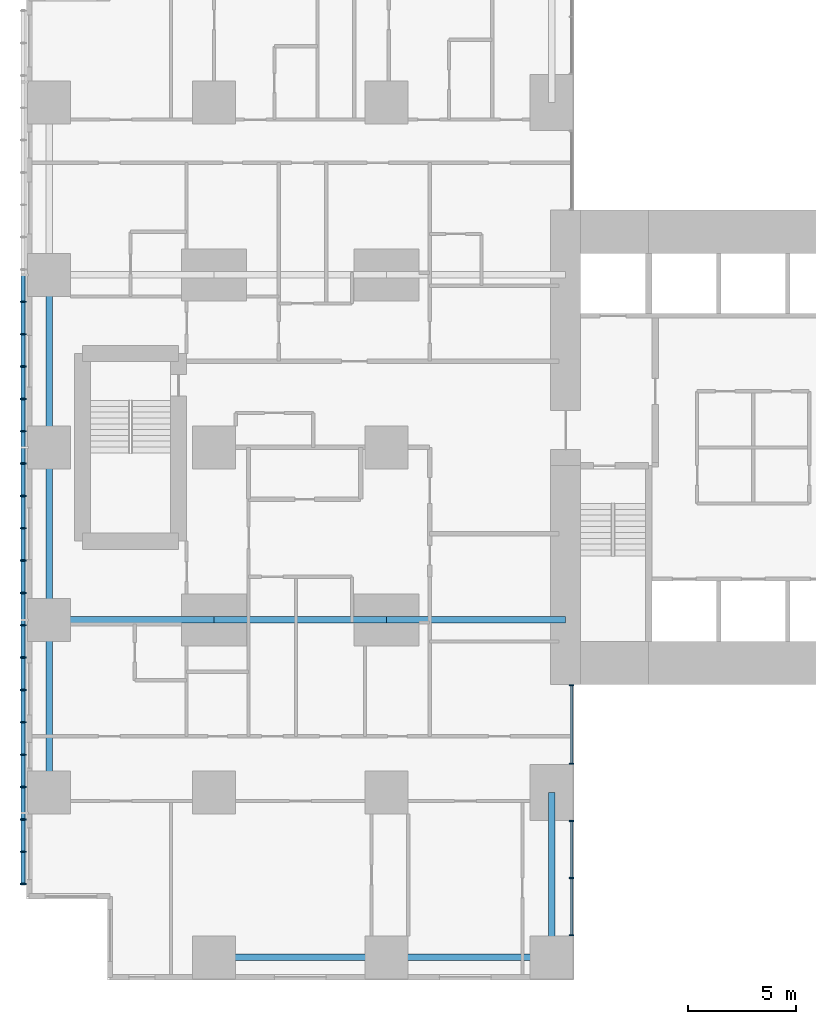
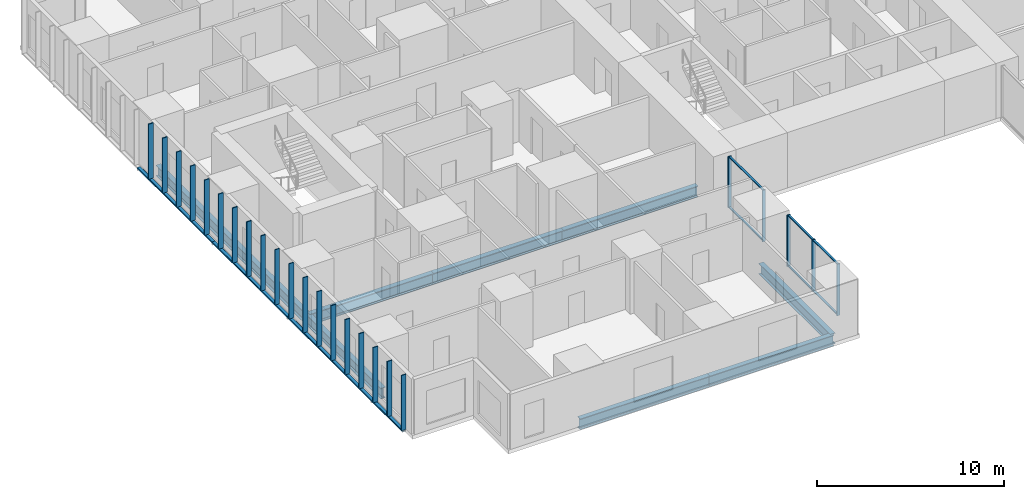
# One storey, part 2 of 20: 33 members, 9 beams, 2 elements without a shape of their own.
"""IFC4 building model written with IfcOpenShell, lengths in metres."""

import ifcopenshell
import ifcopenshell.guid

model = None  # the IFC model being written
_history = None  # IfcOwnerHistory: only IFC2X3 demands one
_inside = {}  # id of a spatial element -> (the spatial element, [elements in it])
_under = {}  # id of a project, library or spatial element -> (it, [spatial elements below it])
_declared = {}  # id of a project -> (the project, [libraries it declares])
_typed = {}  # id of a type object -> (the type object, [elements of that type])
_made_of = {}  # id of a material, layer set ... -> (it, [elements and type objects made of it])


def new_model(schema):
    """Start an empty IFC model of exactly this schema.

    Asked for "IFC4X3", IfcOpenShell would pick the latest addendum, in which some entities
    have other attributes; the version numbers below select the first issue.
    IFC2X3 requires an IfcOwnerHistory on every rooted entity: one is made here for all.
    """
    global model, _history
    if schema == "IFC4X3":
        model = ifcopenshell.file(schema_version=(4, 3, 0, 0))
    else:
        model = ifcopenshell.file(schema=schema)
    _inside.clear()
    _under.clear()
    _declared.clear()
    _typed.clear()
    _made_of.clear()
    _history = None
    if model.schema == "IFC2X3":
        org = make("IfcOrganization", Name="unknown")
        user = make(
            "IfcPersonAndOrganization",
            ThePerson=make("IfcPerson", FamilyName="unknown"),
            TheOrganization=org,
        )
        app = make(
            "IfcApplication",
            ApplicationDeveloper=org,
            Version="unknown",
            ApplicationFullName="unknown",
            ApplicationIdentifier="unknown",
        )
        _history = make(
            "IfcOwnerHistory",
            OwningUser=user,
            OwningApplication=app,
            ChangeAction="ADDED",
            CreationDate=0,
        )
    return model


def make(cls, **values):
    """One entity of the class cls with the attributes given. An attribute that is None is left unset."""
    return model.create_entity(
        cls, **{name: value for name, value in values.items() if value is not None}
    )


def rooted(cls, **values):
    """An entity with a GlobalId (a new one), such as an element, a storey or a relation."""
    return make(cls, GlobalId=ifcopenshell.guid.new(), OwnerHistory=_history, **values)


def si_unit(unit_type, name, prefix=None):
    """IfcSIUnit, for example si_unit("LENGTHUNIT", "METRE", prefix="MILLI")."""
    return make("IfcSIUnit", UnitType=unit_type, Prefix=prefix, Name=name)


def assignment(units):
    """IfcUnitAssignment: the units of a project."""
    return None if units is None else make("IfcUnitAssignment", Units=units)


def point(xyz):
    """IfcCartesianPoint."""
    return None if xyz is None else make("IfcCartesianPoint", Coordinates=xyz)


def direction(xyz):
    """IfcDirection."""
    return None if xyz is None else make("IfcDirection", DirectionRatios=xyz)


def frame(location, z_axis=None, x_axis=None):
    """IfcAxis2Placement3D, a coordinate frame: its origin and axes. An axis left out is left unset."""
    return make(
        "IfcAxis2Placement3D",
        Location=point(location),
        Axis=direction(z_axis),
        RefDirection=direction(x_axis),
    )


def frame_2d(location, x_axis=None):
    """IfcAxis2Placement2D, a coordinate frame in the plane: its origin and x axis."""
    return make(
        "IfcAxis2Placement2D", Location=point(location), RefDirection=direction(x_axis)
    )


def origin():
    """The frame at (0, 0, 0) with its axes left unset."""
    return frame((0.0, 0.0, 0.0))


def origin_2d():
    """The frame at (0, 0) in the plane with its x axis left unset."""
    return frame_2d((0.0, 0.0))


def place(relative_to, where):
    """IfcLocalPlacement: puts the frame where relative to a parent placement (None: the world)."""
    return make(
        "IfcLocalPlacement", PlacementRelTo=relative_to, RelativePlacement=where
    )


def context(
    kind, dimensions, precision=None, world=None, true_north=None, identifier=None
):
    """IfcGeometricRepresentationContext, for example the 3D "Model" context."""
    return make(
        "IfcGeometricRepresentationContext",
        ContextIdentifier=identifier,
        ContextType=kind,
        CoordinateSpaceDimension=dimensions,
        Precision=precision,
        WorldCoordinateSystem=world,
        TrueNorth=true_north,
    )


def subcontext(parent, identifier, kind, view, scale=None):
    """IfcGeometricRepresentationSubContext, for example "Body" below "Model"."""
    return make(
        "IfcGeometricRepresentationSubContext",
        ContextIdentifier=identifier,
        ContextType=kind,
        ParentContext=parent,
        TargetScale=scale,
        TargetView=view,
    )


def project(units=None, contexts=None):
    """IfcProject with its units and contexts."""
    return rooted(
        "IfcProject",
        Name="project",
        RepresentationContexts=contexts,
        UnitsInContext=assignment(units),
    )


def spatial(cls, under=None, at=None, **own):
    """A site, building, storey or space (cls), placed at a placement, below another one or the project."""
    s = rooted(cls, ObjectPlacement=at, **own)
    if under is not None:
        _under.setdefault(under.id(), (under, []))[1].append(s)
    return s


def profile(cls, at=None, kind="AREA", **sizes):
    """A parametric profile (cls). Its sizes go by their IFC names, for example OverallWidth=200.0."""
    return make(cls, ProfileType=kind, Position=at, **sizes)


def rectangle(**sizes):
    """IfcRectangleProfileDef."""
    return profile("IfcRectangleProfileDef", **sizes)


def hollow_rectangle(**sizes):
    """IfcRectangleHollowProfileDef."""
    return profile("IfcRectangleHollowProfileDef", **sizes)


def i_section(**sizes):
    """IfcIShapeProfileDef."""
    return profile("IfcIShapeProfileDef", **sizes)


def extrude(swept, where, along, depth):
    """IfcExtrudedAreaSolid: the profile swept, set in the frame where, extruded along a direction by depth."""
    return make(
        "IfcExtrudedAreaSolid",
        SweptArea=swept,
        Position=where,
        ExtrudedDirection=direction(along),
        Depth=depth,
    )


def shape(context_of_items, identifier, shape_type, items):
    """IfcShapeRepresentation: the items that make up one representation, for example the "Body"."""
    return make(
        "IfcShapeRepresentation",
        ContextOfItems=context_of_items,
        RepresentationIdentifier=identifier,
        RepresentationType=shape_type,
        Items=items,
    )


def material(Name=None, Category=None):
    """IfcMaterial."""
    return make("IfcMaterial", Name=Name, Category=Category)


def layer(
    of_material, thickness, ventilated=None, Name=None, Category=None, Priority=None
):
    """IfcMaterialLayer: one layer of a wall or slab, of a material (None: an air gap)."""
    return make(
        "IfcMaterialLayer",
        Material=of_material,
        LayerThickness=thickness,
        IsVentilated=ventilated,
        Name=Name,
        Category=Category,
        Priority=Priority,
    )


def layer_set(layers, Name=None):
    """IfcMaterialLayerSet."""
    return make("IfcMaterialLayerSet", MaterialLayers=layers, LayerSetName=Name)


def material_profile(
    of_material, cross_section, Name=None, Category=None, Priority=None
):
    """IfcMaterialProfile: a cross section and its material."""
    return make(
        "IfcMaterialProfile",
        Name=Name,
        Material=of_material,
        Profile=cross_section,
        Priority=Priority,
        Category=Category,
    )


def profile_set(profiles, Name=None, composite=None):
    """IfcMaterialProfileSet."""
    return make(
        "IfcMaterialProfileSet",
        Name=Name,
        MaterialProfiles=profiles,
        CompositeProfile=composite,
    )


def made_of(thing, what):
    """Note that an element or type object is made of a material, layer set ...; save() writes the relation."""
    if what is not None:
        _made_of.setdefault(what.id(), (what, []))[1].append(thing)
    return thing


def type_object(cls, material=None, **own):
    """A type object (cls), such as IfcWallType, which elements share."""
    return made_of(rooted(cls, **own), material)


def element(
    cls,
    number,
    at=None,
    inside=None,
    cuts=None,
    type_object=None,
    material=None,
    context=None,
    identifier="Body",
    shape_type=None,
    held_by="IfcProductDefinitionShape",
    body=None,
    shapes=None,
    **own,
):
    """One element of the class cls, such as IfcWall. Its Tag is "e" and its number.

    at: its placement. inside: the storey or other place that contains it. cuts: it is an
    opening in that element (IfcRelVoidsElement). A single representation is given by context,
    identifier, shape_type and body (its items); several are given by shapes. held_by: the class
    of the entity that holds the representations. save() writes the other relations.
    """
    e = rooted(cls, Tag="e%d" % number, ObjectPlacement=at, **own)
    if body is not None:
        shapes = [shape(context, identifier, shape_type, body)]
    if shapes is not None:
        e.Representation = make(held_by, Representations=shapes)
    if inside is not None:
        _inside.setdefault(inside.id(), (inside, []))[1].append(e)
    if cuts is not None:
        rooted(
            "IfcRelVoidsElement", RelatingBuildingElement=cuts, RelatedOpeningElement=e
        )
    if type_object is not None:
        _typed.setdefault(type_object.id(), (type_object, []))[1].append(e)
    return made_of(e, material)


def aggregate(whole, parts):
    """IfcRelAggregates: a whole, such as a stair, and the parts it consists of."""
    return rooted("IfcRelAggregates", RelatingObject=whole, RelatedObjects=parts)


def save(model, path):
    """Write the relations noted so far, then the file.

    IfcRelAggregates (storeys below a building ...), IfcRelContainedInSpatialStructure (elements
    in a storey), IfcRelDefinesByType, IfcRelAssociatesMaterial and IfcRelDeclares: one each for
    every whole, place, type object, material and project.
    """
    for whole, parts in _under.values():
        aggregate(whole, parts)
    for where, things in _inside.values():
        rooted(
            "IfcRelContainedInSpatialStructure",
            RelatedElements=things,
            RelatingStructure=where,
        )
    for kind, things in _typed.values():
        rooted("IfcRelDefinesByType", RelatedObjects=things, RelatingType=kind)
    for what, things in _made_of.values():
        rooted("IfcRelAssociatesMaterial", RelatedObjects=things, RelatingMaterial=what)
    for by, libraries in _declared.values():
        rooted("IfcRelDeclares", RelatingContext=by, RelatedDefinitions=libraries)
    model.write(path)


model = new_model("IFC4")

# Units and contexts
model_context = context("Model", 3, precision=1e-05, world=origin(), true_north=direction((0.0, 1.0)))
body_context = subcontext(model_context, "Body", "Model", "MODEL_VIEW")
ifc_project = project(units=[si_unit("LENGTHUNIT", "METRE"), si_unit("AREAUNIT", "SQUARE_METRE"), si_unit("VOLUMEUNIT", "CUBIC_METRE"), si_unit("PLANEANGLEUNIT", "RADIAN"), si_unit("MASSUNIT", "GRAM", prefix="KILO")], contexts=[model_context])

# Site, building, storey
site_placement = place(None, origin())
site = spatial("IfcSite", under=ifc_project, at=site_placement, CompositionType="ELEMENT")
building_placement = place(site_placement, origin())
building = spatial("IfcBuilding", under=site, at=building_placement, Name="Cleftline Residences", CompositionType="ELEMENT")
storey_placement = place(building_placement, frame((0.0, 0.0, 110.60009765625)))
storey = spatial("IfcBuildingStorey", under=building, at=storey_placement, Name="L28", CompositionType="ELEMENT", Elevation=110.60009765625)

# Members
ifc_material_1 = material(Name="Steel S355, hot-dip galvanised", Category="steel")
ifc_material_profile_1 = material_profile(ifc_material_1, hollow_rectangle(XDim=0.10009765625, YDim=0.199951171875, WallThickness=0.008056640625, InnerFilletRadius=0.008056640625, OuterFilletRadius=0.011962890625, at=origin_2d()))
ifc_profile_set_1 = profile_set([ifc_material_profile_1], Name="Steel S355, hot-dip galvanised")
member_type_1 = type_object("IfcMemberType", Name="BAGUETTE CARRIER RHS 200X100X8", PredefinedType="USERDEFINED", material=ifc_profile_set_1)
for number, where, z_axis, x_axis, name in (
    (1, (-0.85009765625, 32.0, -0.050048828125), (0.0, -1.0, 0.0), (0.0, 0.0, 1.0), "Baguette carrier"),
    (2, (-0.85009765625, 24.0, -0.050048828125), (0.0, -1.0, 0.0), (0.0, 0.0, 1.0), "Baguette carrier"),
):
    element("IfcMember", number, at=place(storey_placement, frame(where, z_axis=z_axis, x_axis=x_axis)), inside=storey, type_object=member_type_1, Name=name, ObjectType="BAGUETTE CARRIER", PredefinedType="USERDEFINED", context=body_context, shape_type="SweptSolid", body=[
        extrude(hollow_rectangle(XDim=0.10009765625, YDim=0.199951171875, WallThickness=0.008056640625, InnerFilletRadius=0.008056640625, OuterFilletRadius=0.011962890625, at=origin_2d()), origin(), (0.0, 0.0, 1.0), 8.0),
    ])
member_1_placement = place(storey_placement, frame((-0.85009765625, 16.0, -0.050048828125), z_axis=(0.0, -1.0, 0.0), x_axis=(0.0, 0.0, 1.0)))
element("IfcMember", 3, at=member_1_placement, inside=storey, type_object=member_type_1, Name="Baguette carrier", ObjectType="BAGUETTE CARRIER", PredefinedType="USERDEFINED", context=body_context, shape_type="SweptSolid", body=[
    extrude(hollow_rectangle(XDim=0.10009765625, YDim=0.199951171875, WallThickness=0.008056640625, InnerFilletRadius=0.008056640625, OuterFilletRadius=0.011962890625, at=origin_2d()), origin(), (0.0, 0.0, 1.0), 12.300048828125),
])

# Beams
ifc_material_2 = material(Name="Steel S355", Category="steel")
ifc_material_profile_2 = material_profile(ifc_material_2, i_section(OverallWidth=0.300048828125, OverallDepth=0.699951171875, WebThickness=0.01708984375, FlangeThickness=0.031982421875, FilletRadius=0.027099609375, at=origin_2d()))
ifc_profile_set_2 = profile_set([ifc_material_profile_2], Name="Steel S355")
beam_type_1 = type_object("IfcBeamType", Name="BEAM HEB 700", PredefinedType="BEAM", material=ifc_profile_set_2)
for number, where, z_axis, x_axis, name in (
    (4, (0.35009765625, 8.0, -0.60009765625), (0.0, 1.0, 0.0), (-1.0, 0.0, 0.0), "Edge beam"),
    (5, (0.35009765625, 16.0, -0.60009765625), (0.0, 1.0, 0.0), (-1.0, 0.0, 0.0), "Edge beam"),
    (6, (0.35009765625, 24.0, -0.60009765625), (0.0, 1.0, 0.0), (-1.0, 0.0, 0.0), "Edge beam"),
    (7, (8.0, 0.35009765625, -0.60009765625), (1.0, 0.0, 0.0), (0.0, 1.0, 0.0), "Edge beam"),
):
    element("IfcBeam", number, at=place(storey_placement, frame(where, z_axis=z_axis, x_axis=x_axis)), inside=storey, type_object=beam_type_1, Name=name, PredefinedType="BEAM", context=body_context, shape_type="SweptSolid", body=[
        extrude(i_section(OverallWidth=0.300048828125, OverallDepth=0.699951171875, WebThickness=0.01708984375, FlangeThickness=0.031982421875, FilletRadius=0.027099609375, at=origin_2d()), origin(), (0.0, 0.0, 1.0), 8.0),
    ])
for number, where, z_axis, x_axis, name in (
    (8, (16.0, 0.35009765625, -0.60009765625), (1.0, 0.0, 0.0), (0.0, 1.0, 0.0), "Edge beam"),
    (9, (23.64990234375, 0.35009765625, -0.60009765625), (0.0, 1.0, 0.0), (-1.0, 0.0, 0.0), "Edge beam"),
):
    element("IfcBeam", number, at=place(storey_placement, frame(where, z_axis=z_axis, x_axis=x_axis)), inside=storey, type_object=beam_type_1, Name=name, PredefinedType="BEAM", context=body_context, shape_type="SweptSolid", body=[
        extrude(i_section(OverallWidth=0.300048828125, OverallDepth=0.699951171875, WebThickness=0.01708984375, FlangeThickness=0.031982421875, FilletRadius=0.027099609375, at=origin_2d()), origin(), (0.0, 0.0, 1.0), 7.64990234375),
    ])
ifc_material_3 = material(Name="Steel S355", Category="steel")
ifc_material_profile_3 = material_profile(ifc_material_3, i_section(OverallWidth=0.303955078125, OverallDepth=0.716064453125, WebThickness=0.02099609375, FlangeThickness=0.0400390625, FilletRadius=0.027099609375, at=origin_2d()))
ifc_profile_set_3 = profile_set([ifc_material_profile_3], Name="Steel S355")
beam_type_2 = type_object("IfcBeamType", Name="BEAM HEM 700", PredefinedType="BEAM", material=ifc_profile_set_3)
beam_1_placement = place(storey_placement, frame((0.35009765625, 16.0, -0.608154296875), z_axis=(1.0, 0.0, 0.0), x_axis=(0.0, 1.0, 0.0)))
element("IfcBeam", 10, at=beam_1_placement, inside=storey, type_object=beam_type_2, Name="Band beam", PredefinedType="BEAM", context=body_context, shape_type="SweptSolid", body=[
    extrude(i_section(OverallWidth=0.303955078125, OverallDepth=0.716064453125, WebThickness=0.02099609375, FlangeThickness=0.0400390625, FilletRadius=0.027099609375, at=origin_2d()), origin(), (0.0, 0.0, 1.0), 7.64990234375),
])
beam_2_placement = place(storey_placement, frame((8.0, 16.0, -0.608154296875), z_axis=(1.0, 0.0, 0.0), x_axis=(0.0, 1.0, 0.0)))
element("IfcBeam", 11, at=beam_2_placement, inside=storey, type_object=beam_type_2, Name="Band beam", PredefinedType="BEAM", context=body_context, shape_type="SweptSolid", body=[
    extrude(i_section(OverallWidth=0.303955078125, OverallDepth=0.716064453125, WebThickness=0.02099609375, FlangeThickness=0.0400390625, FilletRadius=0.027099609375, at=origin_2d()), origin(), (0.0, 0.0, 1.0), 8.0),
])
beam_3_placement = place(storey_placement, frame((16.0, 16.0, -0.608154296875), z_axis=(1.0, 0.0, 0.0), x_axis=(0.0, 1.0, 0.0)))
element("IfcBeam", 12, at=beam_3_placement, inside=storey, type_object=beam_type_2, Name="Band beam", PredefinedType="BEAM", context=body_context, shape_type="SweptSolid", body=[
    extrude(i_section(OverallWidth=0.303955078125, OverallDepth=0.716064453125, WebThickness=0.02099609375, FlangeThickness=0.0400390625, FilletRadius=0.027099609375, at=origin_2d()), origin(), (0.0, 0.0, 1.0), 8.300048828125),
])

# Curtain wall, members
ifc_material_4 = material(Name="Aluminium framed curtain wall", Category="aluminium")
ifc_layer = layer(ifc_material_4, 0.199951171875)
ifc_layer_set = layer_set([ifc_layer], Name="CW1 CLEFT GLAZING")
curtain_wall_type = type_object("IfcCurtainWallType", Name="CW1 CLEFT GLAZING", PredefinedType="NOTDEFINED", material=ifc_layer_set)
curtain_wall_1_placement = place(storey_placement, origin())
curtain_wall_1 = element("IfcCurtainWall", 13, at=curtain_wall_1_placement, inside=storey, type_object=curtain_wall_type, Name="Curtain wall CW1", PredefinedType="NOTDEFINED")
ifc_material_5 = material(Name="Aluminium mullion", Category="aluminium")
ifc_material_profile_4 = material_profile(ifc_material_5, rectangle(XDim=0.199951171875, YDim=0.06005859375, at=origin_2d()))
ifc_profile_set_4 = profile_set([ifc_material_profile_4], Name="Aluminium mullion")
member_type_2 = type_object("IfcMemberType", Name="CW1 MULLION", PredefinedType="MULLION", material=ifc_profile_set_4)
member_2_placement = place(storey_placement, frame((24.574951171875, 1.3798828125, 0.0), z_axis=(0.0, 0.0, 1.0), x_axis=(-1.0, 0.0, 0.0)))
member_2 = element("IfcMember", 14, at=member_2_placement, type_object=member_type_2, Name="CW1 mullion 1", PredefinedType="MULLION", context=body_context, shape_type="SweptSolid", body=[
    extrude(rectangle(XDim=0.199951171875, YDim=0.06005859375, at=origin_2d()), origin(), (0.0, 0.0, 1.0), 3.349853515625),
])
member_3_placement = place(storey_placement, frame((24.574951171875, 4.02490234375, 0.0), z_axis=(0.0, 0.0, 1.0), x_axis=(-1.0, 0.0, 0.0)))
member_3 = element("IfcMember", 15, at=member_3_placement, type_object=member_type_2, Name="CW1 mullion 2", PredefinedType="MULLION", context=body_context, shape_type="SweptSolid", body=[
    extrude(rectangle(XDim=0.199951171875, YDim=0.06005859375, at=origin_2d()), origin(), (0.0, 0.0, 1.0), 3.349853515625),
])
member_4_placement = place(storey_placement, frame((24.574951171875, 6.669921875, 0.0), z_axis=(0.0, 0.0, 1.0), x_axis=(-1.0, 0.0, 0.0)))
member_4 = element("IfcMember", 16, at=member_4_placement, type_object=member_type_2, Name="CW1 mullion 3", PredefinedType="MULLION", context=body_context, shape_type="SweptSolid", body=[
    extrude(rectangle(XDim=0.199951171875, YDim=0.06005859375, at=origin_2d()), origin(), (0.0, 0.0, 1.0), 3.349853515625),
])

curtain_wall_2_placement = place(storey_placement, origin())
curtain_wall_2 = element("IfcCurtainWall", 17, at=curtain_wall_2_placement, inside=storey, type_object=curtain_wall_type, Name="Curtain wall CW1", PredefinedType="NOTDEFINED")
member_5_placement = place(storey_placement, frame((24.574951171875, 9.330078125, 0.0), z_axis=(0.0, 0.0, 1.0), x_axis=(-1.0, 0.0, 0.0)))
member_5 = element("IfcMember", 18, at=member_5_placement, type_object=member_type_2, Name="CW1 mullion 1", PredefinedType="MULLION", context=body_context, shape_type="SweptSolid", body=[
    extrude(rectangle(XDim=0.199951171875, YDim=0.06005859375, at=origin_2d()), origin(), (0.0, 0.0, 1.0), 3.349853515625),
])
member_6_placement = place(storey_placement, frame((24.574951171875, 12.969970703125, 0.0), z_axis=(0.0, 0.0, 1.0), x_axis=(-1.0, 0.0, 0.0)))
member_6 = element("IfcMember", 19, at=member_6_placement, type_object=member_type_2, Name="CW1 mullion 2", PredefinedType="MULLION", context=body_context, shape_type="SweptSolid", body=[
    extrude(rectangle(XDim=0.199951171875, YDim=0.06005859375, at=origin_2d()), origin(), (0.0, 0.0, 1.0), 3.349853515625),
])

# Member
ifc_material_6 = material(Name="Aluminium transom", Category="aluminium")
ifc_material_profile_5 = material_profile(ifc_material_6, rectangle(XDim=0.1201171875, YDim=0.06005859375, at=origin_2d()))
ifc_profile_set_5 = profile_set([ifc_material_profile_5], Name="Aluminium transom")
member_type_3 = type_object("IfcMemberType", Name="CW1 TRANSOM", PredefinedType="USERDEFINED", material=ifc_profile_set_5)
member_7_placement = place(storey_placement, frame((24.574951171875, 1.409912109375, 0.02978515625), z_axis=(0.0, 1.0, 0.0), x_axis=(-1.0, 0.0, 0.0)))
member_7 = element("IfcMember", 20, at=member_7_placement, type_object=member_type_3, Name="CW1 transom 1.1", ObjectType="TRANSOM", PredefinedType="USERDEFINED", context=body_context, shape_type="SweptSolid", body=[
    extrude(rectangle(XDim=0.1201171875, YDim=0.06005859375, at=origin_2d()), origin(), (0.0, 0.0, 1.0), 2.585205078125),
])

member_8_placement = place(storey_placement, frame((24.574951171875, 1.409912109375, 3.31982421875), z_axis=(0.0, 1.0, 0.0), x_axis=(-1.0, 0.0, 0.0)))
member_8 = element("IfcMember", 21, at=member_8_placement, type_object=member_type_3, Name="CW1 transom 1.2", ObjectType="TRANSOM", PredefinedType="USERDEFINED", context=body_context, shape_type="SweptSolid", body=[
    extrude(rectangle(XDim=0.1201171875, YDim=0.06005859375, at=origin_2d()), origin(), (0.0, 0.0, 1.0), 2.585205078125),
])

member_9_placement = place(storey_placement, frame((24.574951171875, 4.054931640625, 0.02978515625), z_axis=(0.0, 1.0, 0.0), x_axis=(-1.0, 0.0, 0.0)))
member_9 = element("IfcMember", 22, at=member_9_placement, type_object=member_type_3, Name="CW1 transom 2.1", ObjectType="TRANSOM", PredefinedType="USERDEFINED", context=body_context, shape_type="SweptSolid", body=[
    extrude(rectangle(XDim=0.1201171875, YDim=0.06005859375, at=origin_2d()), origin(), (0.0, 0.0, 1.0), 2.5849609375),
])

member_10_placement = place(storey_placement, frame((24.574951171875, 4.054931640625, 3.31982421875), z_axis=(0.0, 1.0, 0.0), x_axis=(-1.0, 0.0, 0.0)))
member_10 = element("IfcMember", 23, at=member_10_placement, type_object=member_type_3, Name="CW1 transom 2.2", ObjectType="TRANSOM", PredefinedType="USERDEFINED", context=body_context, shape_type="SweptSolid", body=[
    extrude(rectangle(XDim=0.1201171875, YDim=0.06005859375, at=origin_2d()), origin(), (0.0, 0.0, 1.0), 2.5849609375),
])

aggregate(curtain_wall_1, [member_2, member_3, member_4, member_7, member_8, member_9, member_10])

member_11_placement = place(storey_placement, frame((24.574951171875, 9.360107421875, 0.02978515625), z_axis=(0.0, 1.0, 0.0), x_axis=(-1.0, 0.0, 0.0)))
member_11 = element("IfcMember", 24, at=member_11_placement, type_object=member_type_3, Name="CW1 transom 1.1", ObjectType="TRANSOM", PredefinedType="USERDEFINED", context=body_context, shape_type="SweptSolid", body=[
    extrude(rectangle(XDim=0.1201171875, YDim=0.06005859375, at=origin_2d()), origin(), (0.0, 0.0, 1.0), 3.579833984375),
])

member_12_placement = place(storey_placement, frame((24.574951171875, 9.360107421875, 3.31982421875), z_axis=(0.0, 1.0, 0.0), x_axis=(-1.0, 0.0, 0.0)))
member_12 = element("IfcMember", 25, at=member_12_placement, type_object=member_type_3, Name="CW1 transom 1.2", ObjectType="TRANSOM", PredefinedType="USERDEFINED", context=body_context, shape_type="SweptSolid", body=[
    extrude(rectangle(XDim=0.1201171875, YDim=0.06005859375, at=origin_2d()), origin(), (0.0, 0.0, 1.0), 3.579833984375),
])

aggregate(curtain_wall_2, [member_5, member_6, member_11, member_12])

# Members
ifc_material_7 = material(Name="Extruded terracotta", Category="masonry")
ifc_material_profile_6 = material_profile(ifc_material_7, rectangle(XDim=0.06005859375, YDim=0.300048828125, at=origin_2d()))
ifc_profile_set_6 = profile_set([ifc_material_profile_6], Name="Extruded terracotta")
member_type_4 = type_object("IfcMemberType", Name="TERRACOTTA BAGUETTE 60X300", PredefinedType="USERDEFINED", material=ifc_profile_set_6)
for number, where, z_axis, x_axis, name in (
    (26, (-0.85009765625, 30.75, 0.0), (0.0, 0.0, 1.0), (0.0, 1.0, 0.0), "Terracotta baguette"),
    (27, (-0.85009765625, 29.25, 0.0), (0.0, 0.0, 1.0), (0.0, 1.0, 0.0), "Terracotta baguette"),
    (28, (-0.85009765625, 27.75, 0.0), (0.0, 0.0, 1.0), (0.0, 1.0, 0.0), "Terracotta baguette"),
    (29, (-0.85009765625, 26.25, 0.0), (0.0, 0.0, 1.0), (0.0, 1.0, 0.0), "Terracotta baguette"),
    (30, (-0.85009765625, 24.75, 0.0), (0.0, 0.0, 1.0), (0.0, 1.0, 0.0), "Terracotta baguette"),
    (31, (-0.85009765625, 23.25, 0.0), (0.0, 0.0, 1.0), (0.0, 1.0, 0.0), "Terracotta baguette"),
    (32, (-0.85009765625, 21.75, 0.0), (0.0, 0.0, 1.0), (0.0, 1.0, 0.0), "Terracotta baguette"),
    (33, (-0.85009765625, 20.25, 0.0), (0.0, 0.0, 1.0), (0.0, 1.0, 0.0), "Terracotta baguette"),
    (34, (-0.85009765625, 18.75, 0.0), (0.0, 0.0, 1.0), (0.0, 1.0, 0.0), "Terracotta baguette"),
    (35, (-0.85009765625, 17.25, 0.0), (0.0, 0.0, 1.0), (0.0, 1.0, 0.0), "Terracotta baguette"),
    (36, (-0.85009765625, 15.75, 0.0), (0.0, 0.0, 1.0), (0.0, 1.0, 0.0), "Terracotta baguette"),
    (37, (-0.85009765625, 14.25, 0.0), (0.0, 0.0, 1.0), (0.0, 1.0, 0.0), "Terracotta baguette"),
    (38, (-0.85009765625, 12.75, 0.0), (0.0, 0.0, 1.0), (0.0, 1.0, 0.0), "Terracotta baguette"),
    (39, (-0.85009765625, 11.25, 0.0), (0.0, 0.0, 1.0), (0.0, 1.0, 0.0), "Terracotta baguette"),
    (40, (-0.85009765625, 9.75, 0.0), (0.0, 0.0, 1.0), (0.0, 1.0, 0.0), "Terracotta baguette"),
    (41, (-0.85009765625, 8.25, 0.0), (0.0, 0.0, 1.0), (0.0, 1.0, 0.0), "Terracotta baguette"),
    (42, (-0.85009765625, 6.75, 0.0), (0.0, 0.0, 1.0), (0.0, 1.0, 0.0), "Terracotta baguette"),
    (43, (-0.85009765625, 5.25, 0.0), (0.0, 0.0, 1.0), (0.0, 1.0, 0.0), "Terracotta baguette"),
    (44, (-0.85009765625, 3.75, 0.0), (0.0, 0.0, 1.0), (0.0, 1.0, 0.0), "Terracotta baguette"),
):
    element("IfcMember", number, at=place(storey_placement, frame(where, z_axis=z_axis, x_axis=x_axis)), inside=storey, type_object=member_type_4, Name=name, ObjectType="BAGUETTE", PredefinedType="USERDEFINED", context=body_context, shape_type="SweptSolid", body=[
        extrude(rectangle(XDim=0.06005859375, YDim=0.300048828125, at=origin_2d()), origin(), (0.0, 0.0, 1.0), 3.599853515625),
    ])

save(model, "model.ifc")
